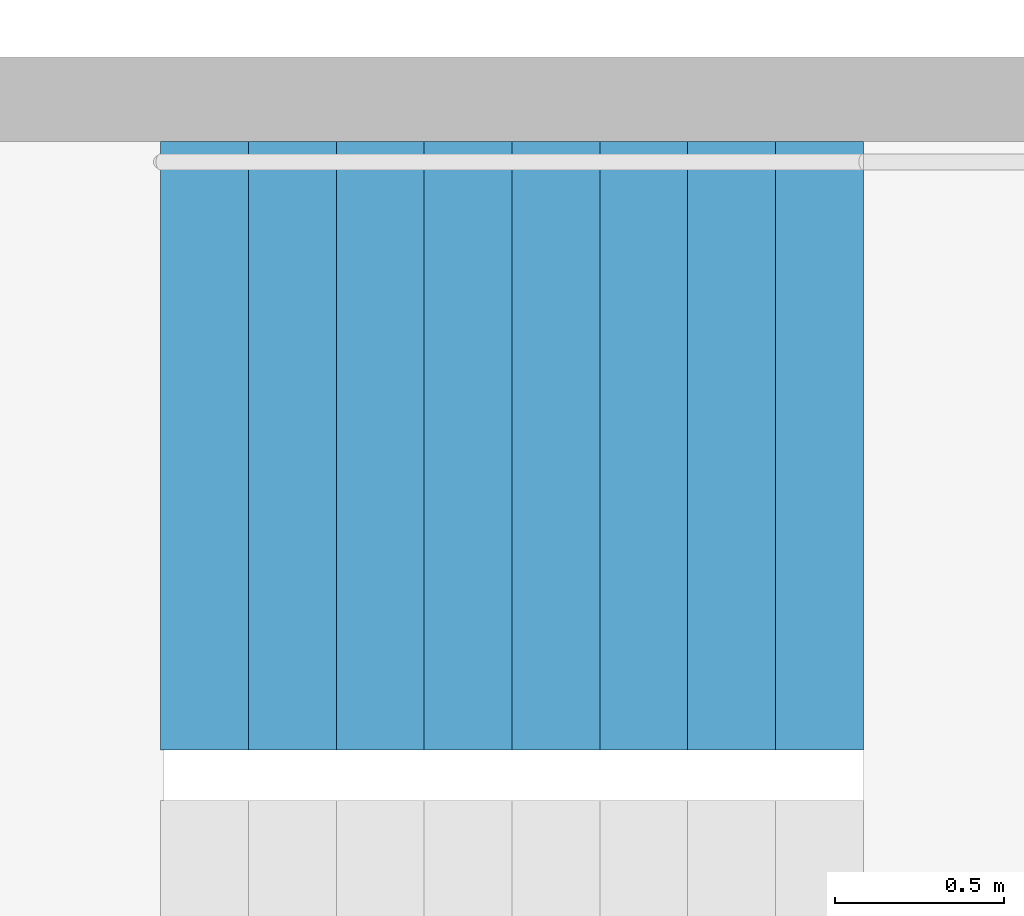
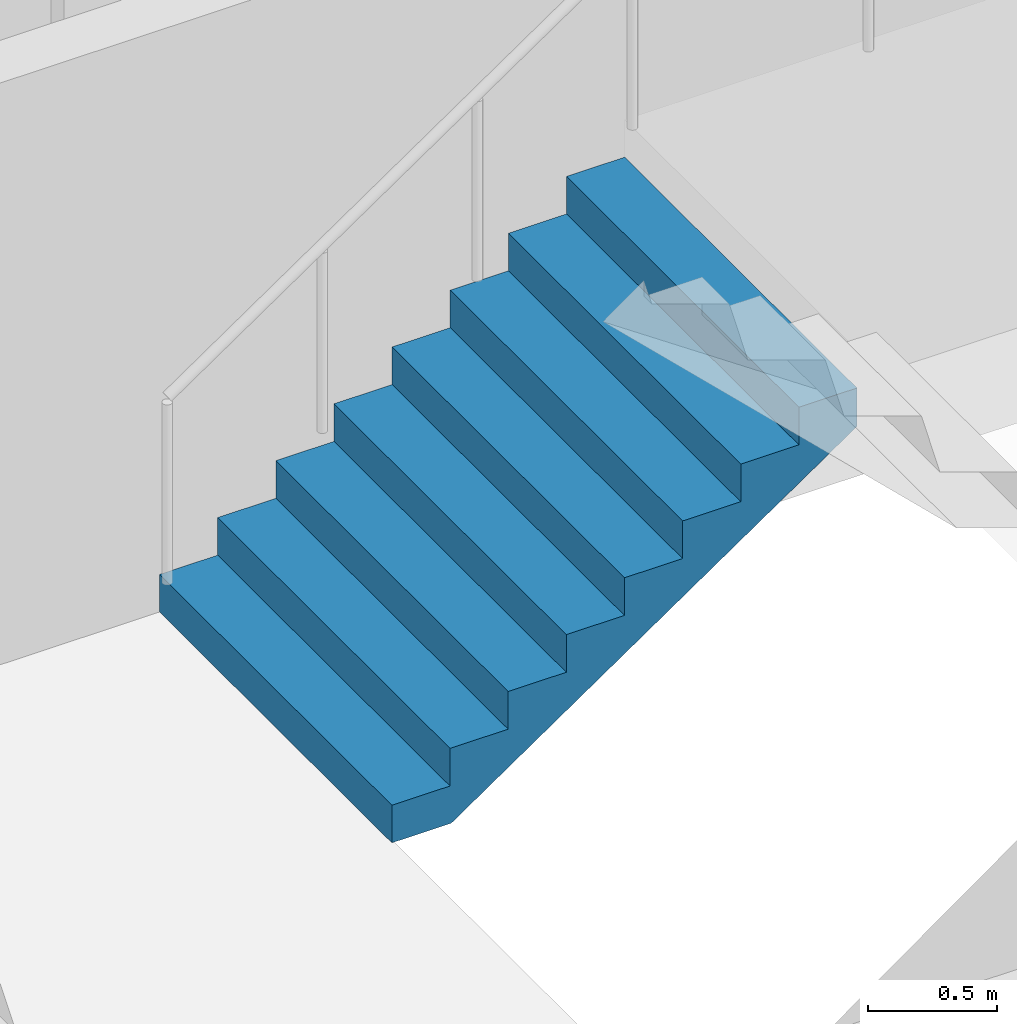
# One storey, part 23 of 26: 1 stair flight, 1 element without a shape of its own.
"""IFC4 building model written with IfcOpenShell, lengths in metres."""

from ifc_helpers import new_model, si_unit, direction, frame, origin, place, context, subcontext, project, spatial, triangles, material, type_object, element, aggregate, save


model = new_model("IFC4")

# Units and contexts
model_context = context("Model", 3, precision=1e-05, world=origin(), true_north=direction((0.0, 1.0)))
body_context = subcontext(model_context, "Body", "Model", "MODEL_VIEW")
ifc_project = project(units=[si_unit("LENGTHUNIT", "METRE"), si_unit("AREAUNIT", "SQUARE_METRE"), si_unit("VOLUMEUNIT", "CUBIC_METRE"), si_unit("PLANEANGLEUNIT", "RADIAN"), si_unit("MASSUNIT", "GRAM", prefix="KILO")], contexts=[model_context])

# Site, building, storey
site_placement = place(None, origin())
site = spatial("IfcSite", under=ifc_project, at=site_placement, CompositionType="ELEMENT")
building_placement = place(site_placement, origin())
building = spatial("IfcBuilding", under=site, at=building_placement, Name="Hakoniwa Tower and Hamabe Station Hall", CompositionType="ELEMENT")
storey_placement = place(building_placement, frame((0.0, 0.0, 212.199951171875)))
storey = spatial("IfcBuildingStorey", under=building, at=storey_placement, Name="L60", CompositionType="ELEMENT", Elevation=212.199951171875)

# Stair, stair flight
ifc_material_1 = material(Name="Concrete C40", Category="concrete")
stair_type = type_object("IfcStairType", Name="ESCAPE STAIR 1800", PredefinedType="HALF_TURN_STAIR", material=ifc_material_1)
stair_placement = place(storey_placement, origin())
stair = element("IfcStair", 1, at=stair_placement, inside=storey, type_object=stair_type, Name="Escape stair ST-4 L60", PredefinedType="HALF_TURN_STAIR")
ifc_material_2 = material(Name="Concrete C40", Category="concrete")
stair_flight_type = type_object("IfcStairFlightType", Name="STAIR FLIGHT 1800", PredefinedType="STRAIGHT", material=ifc_material_2)
stair_flight_placement = place(storey_placement, frame((23.39990234375, -4.64990234375, 0.0), z_axis=(0.0, 0.0, 1.0), x_axis=(1.0, 0.0, 0.0)))
stair_flight = element("IfcStairFlight", 2, at=stair_flight_placement, type_object=stair_flight_type, Name="ST-4 flight 1", NumberOfRisers=9, NumberOfTreads=8, PredefinedType="STRAIGHT", RiserHeight=0.177777778, TreadLength=0.26, context=body_context, shape_type="Tessellation", body=[
    triangles([(0.0, 0.89990234375, 0.0), (0.260009765625, 0.89990234375, 0.0), (0.265625, 0.89990234375, 0.0), (0.52001953125, 0.89990234375, 0.174072265625), (0.780029296875, 0.89990234375, 0.351806640625), (1.0400390625, 0.89990234375, 0.529541015625), (1.300048828125, 0.89990234375, 0.707275390625), (1.56005859375, 0.89990234375, 0.885009765625), (1.820068359375, 0.89990234375, 1.062744140625), (2.080078125, 0.89990234375, 1.24072265625), (2.080078125, 0.89990234375, 1.422119140625), (1.820068359375, 0.89990234375, 1.422119140625), (1.820068359375, 0.89990234375, 1.244384765625), (1.56005859375, 0.89990234375, 1.244384765625), (1.56005859375, 0.89990234375, 1.066650390625), (1.300048828125, 0.89990234375, 1.066650390625), (1.300048828125, 0.89990234375, 0.888916015625), (1.0400390625, 0.89990234375, 0.888916015625), (1.0400390625, 0.89990234375, 0.711181640625), (0.780029296875, 0.89990234375, 0.711181640625), (0.780029296875, 0.89990234375, 0.533447265625), (0.52001953125, 0.89990234375, 0.533447265625), (0.52001953125, 0.89990234375, 0.35546875), (0.265625, 0.89990234375, 0.35546875), (0.260009765625, 0.89990234375, 0.35546875), (0.260009765625, 0.89990234375, 0.177734375), (0.0, 0.89990234375, 0.177734375), (0.0, 0.06005859375, 0.0), (0.260009765625, 0.06005859375, 0.0), (0.265625, 0.06005859375, 0.0), (0.52001953125, 0.06005859375, 0.174072265625), (0.780029296875, 0.06005859375, 0.351806640625), (1.0400390625, 0.06005859375, 0.529541015625), (1.300048828125, 0.06005859375, 0.707275390625), (1.56005859375, 0.06005859375, 0.885009765625), (1.820068359375, 0.06005859375, 1.062744140625), (2.080078125, 0.06005859375, 1.24072265625), (2.080078125, 0.06005859375, 1.422119140625), (1.820068359375, 0.06005859375, 1.422119140625), (1.820068359375, 0.06005859375, 1.244384765625), (1.56005859375, 0.06005859375, 1.244384765625), (1.56005859375, 0.06005859375, 1.066650390625), (1.300048828125, 0.06005859375, 1.066650390625), (1.300048828125, 0.06005859375, 0.888916015625), (1.0400390625, 0.06005859375, 0.888916015625), (1.0400390625, 0.06005859375, 0.711181640625), (0.780029296875, 0.06005859375, 0.711181640625), (0.780029296875, 0.06005859375, 0.533447265625), (0.52001953125, 0.06005859375, 0.533447265625), (0.52001953125, 0.06005859375, 0.35546875), (0.265625, 0.06005859375, 0.35546875), (0.260009765625, 0.06005859375, 0.35546875), (0.260009765625, 0.06005859375, 0.177734375), (0.0, 0.06005859375, 0.177734375), (0.0, 0.04296875, 0.0), (0.260009765625, 0.04296875, 0.0), (0.265625, 0.04296875, 0.0), (0.52001953125, 0.04296875, 0.174072265625), (0.780029296875, 0.04296875, 0.351806640625), (1.0400390625, 0.04296875, 0.529541015625), (1.300048828125, 0.04296875, 0.707275390625), (1.56005859375, 0.04296875, 0.885009765625), (1.820068359375, 0.04296875, 1.062744140625), (2.080078125, 0.04296875, 1.24072265625), (2.080078125, 0.04296875, 1.422119140625), (1.820068359375, 0.04296875, 1.422119140625), (1.820068359375, 0.04296875, 1.244384765625), (1.56005859375, 0.04296875, 1.244384765625), (1.56005859375, 0.04296875, 1.066650390625), (1.300048828125, 0.04296875, 1.066650390625), (1.300048828125, 0.04296875, 0.888916015625), (1.0400390625, 0.04296875, 0.888916015625), (1.0400390625, 0.04296875, 0.711181640625), (0.780029296875, 0.04296875, 0.711181640625), (0.780029296875, 0.04296875, 0.533447265625), (0.52001953125, 0.04296875, 0.533447265625), (0.52001953125, 0.04296875, 0.35546875), (0.265625, 0.04296875, 0.35546875), (0.260009765625, 0.04296875, 0.35546875), (0.260009765625, 0.04296875, 0.177734375), (0.0, 0.04296875, 0.177734375), (0.0, 0.025634765625, 0.0), (0.260009765625, 0.025634765625, 0.0), (0.265625, 0.025634765625, 0.0), (0.52001953125, 0.025634765625, 0.174072265625), (0.780029296875, 0.025634765625, 0.351806640625), (1.0400390625, 0.025634765625, 0.529541015625), (1.300048828125, 0.025634765625, 0.707275390625), (1.56005859375, 0.025634765625, 0.885009765625), (1.820068359375, 0.025634765625, 1.062744140625), (2.080078125, 0.025634765625, 1.24072265625), (2.080078125, 0.025634765625, 1.422119140625), (1.820068359375, 0.025634765625, 1.422119140625), (1.820068359375, 0.025634765625, 1.244384765625), (1.56005859375, 0.025634765625, 1.244384765625), (1.56005859375, 0.025634765625, 1.066650390625), (1.300048828125, 0.025634765625, 1.066650390625), (1.300048828125, 0.025634765625, 0.888916015625), (1.0400390625, 0.025634765625, 0.888916015625), (1.0400390625, 0.025634765625, 0.711181640625), (0.780029296875, 0.025634765625, 0.711181640625), (0.780029296875, 0.025634765625, 0.533447265625), (0.52001953125, 0.025634765625, 0.533447265625), (0.52001953125, 0.025634765625, 0.35546875), (0.265625, 0.025634765625, 0.35546875), (0.260009765625, 0.025634765625, 0.35546875), (0.260009765625, 0.025634765625, 0.177734375), (0.0, 0.025634765625, 0.177734375), (0.0, 0.008544921875, 0.0), (0.260009765625, 0.008544921875, 0.0), (0.265625, 0.008544921875, 0.0), (0.52001953125, 0.008544921875, 0.174072265625), (0.780029296875, 0.008544921875, 0.351806640625), (1.0400390625, 0.008544921875, 0.529541015625), (1.300048828125, 0.008544921875, 0.707275390625), (1.56005859375, 0.008544921875, 0.885009765625), (1.820068359375, 0.008544921875, 1.062744140625), (2.080078125, 0.008544921875, 1.24072265625), (2.080078125, 0.008544921875, 1.422119140625), (1.820068359375, 0.008544921875, 1.422119140625), (1.820068359375, 0.008544921875, 1.244384765625), (1.56005859375, 0.008544921875, 1.244384765625), (1.56005859375, 0.008544921875, 1.066650390625), (1.300048828125, 0.008544921875, 1.066650390625), (1.300048828125, 0.008544921875, 0.888916015625), (1.0400390625, 0.008544921875, 0.888916015625), (1.0400390625, 0.008544921875, 0.711181640625), (0.780029296875, 0.008544921875, 0.711181640625), (0.780029296875, 0.008544921875, 0.533447265625), (0.52001953125, 0.008544921875, 0.533447265625), (0.52001953125, 0.008544921875, 0.35546875), (0.265625, 0.008544921875, 0.35546875), (0.260009765625, 0.008544921875, 0.35546875), (0.260009765625, 0.008544921875, 0.177734375), (0.0, 0.008544921875, 0.177734375), (0.0, -0.008544921875, 0.0), (0.260009765625, -0.008544921875, 0.0), (0.265625, -0.008544921875, 0.0), (0.52001953125, -0.008544921875, 0.174072265625), (0.780029296875, -0.008544921875, 0.351806640625), (1.0400390625, -0.008544921875, 0.529541015625), (1.300048828125, -0.008544921875, 0.707275390625), (1.56005859375, -0.008544921875, 0.885009765625), (1.820068359375, -0.008544921875, 1.062744140625), (2.080078125, -0.008544921875, 1.24072265625), (2.080078125, -0.008544921875, 1.422119140625), (1.820068359375, -0.008544921875, 1.422119140625), (1.820068359375, -0.008544921875, 1.244384765625), (1.56005859375, -0.008544921875, 1.244384765625), (1.56005859375, -0.008544921875, 1.066650390625), (1.300048828125, -0.008544921875, 1.066650390625), (1.300048828125, -0.008544921875, 0.888916015625), (1.0400390625, -0.008544921875, 0.888916015625), (1.0400390625, -0.008544921875, 0.711181640625), (0.780029296875, -0.008544921875, 0.711181640625), (0.780029296875, -0.008544921875, 0.533447265625), (0.52001953125, -0.008544921875, 0.533447265625), (0.52001953125, -0.008544921875, 0.35546875), (0.265625, -0.008544921875, 0.35546875), (0.260009765625, -0.008544921875, 0.35546875), (0.260009765625, -0.008544921875, 0.177734375), (0.0, -0.008544921875, 0.177734375), (0.0, -0.025634765625, 0.0), (0.260009765625, -0.025634765625, 0.0), (0.265625, -0.025634765625, 0.0), (0.52001953125, -0.025634765625, 0.174072265625), (0.780029296875, -0.025634765625, 0.351806640625), (1.0400390625, -0.025634765625, 0.529541015625), (1.300048828125, -0.025634765625, 0.707275390625), (1.56005859375, -0.025634765625, 0.885009765625), (1.820068359375, -0.025634765625, 1.062744140625), (2.080078125, -0.025634765625, 1.24072265625), (2.080078125, -0.025634765625, 1.422119140625), (1.820068359375, -0.025634765625, 1.422119140625), (1.820068359375, -0.025634765625, 1.244384765625), (1.56005859375, -0.025634765625, 1.244384765625), (1.56005859375, -0.025634765625, 1.066650390625), (1.300048828125, -0.025634765625, 1.066650390625), (1.300048828125, -0.025634765625, 0.888916015625), (1.0400390625, -0.025634765625, 0.888916015625), (1.0400390625, -0.025634765625, 0.711181640625), (0.780029296875, -0.025634765625, 0.711181640625), (0.780029296875, -0.025634765625, 0.533447265625), (0.52001953125, -0.025634765625, 0.533447265625), (0.52001953125, -0.025634765625, 0.35546875), (0.265625, -0.025634765625, 0.35546875), (0.260009765625, -0.025634765625, 0.35546875), (0.260009765625, -0.025634765625, 0.177734375), (0.0, -0.025634765625, 0.177734375), (0.0, -0.04296875, 0.0), (0.260009765625, -0.04296875, 0.0), (0.265625, -0.04296875, 0.0), (0.52001953125, -0.04296875, 0.174072265625), (0.780029296875, -0.04296875, 0.351806640625), (1.0400390625, -0.04296875, 0.529541015625), (1.300048828125, -0.04296875, 0.707275390625), (1.56005859375, -0.04296875, 0.885009765625), (1.820068359375, -0.04296875, 1.062744140625), (2.080078125, -0.04296875, 1.24072265625), (2.080078125, -0.04296875, 1.422119140625), (1.820068359375, -0.04296875, 1.422119140625), (1.820068359375, -0.04296875, 1.244384765625), (1.56005859375, -0.04296875, 1.244384765625), (1.56005859375, -0.04296875, 1.066650390625), (1.300048828125, -0.04296875, 1.066650390625), (1.300048828125, -0.04296875, 0.888916015625), (1.0400390625, -0.04296875, 0.888916015625), (1.0400390625, -0.04296875, 0.711181640625), (0.780029296875, -0.04296875, 0.711181640625), (0.780029296875, -0.04296875, 0.533447265625), (0.52001953125, -0.04296875, 0.533447265625), (0.52001953125, -0.04296875, 0.35546875), (0.265625, -0.04296875, 0.35546875), (0.260009765625, -0.04296875, 0.35546875), (0.260009765625, -0.04296875, 0.177734375), (0.0, -0.04296875, 0.177734375), (0.0, -0.06005859375, 0.0), (0.260009765625, -0.06005859375, 0.0), (0.265625, -0.06005859375, 0.0), (0.52001953125, -0.06005859375, 0.174072265625), (0.780029296875, -0.06005859375, 0.351806640625), (1.0400390625, -0.06005859375, 0.529541015625), (1.300048828125, -0.06005859375, 0.707275390625), (1.56005859375, -0.06005859375, 0.885009765625), (1.820068359375, -0.06005859375, 1.062744140625), (2.080078125, -0.06005859375, 1.24072265625), (2.080078125, -0.06005859375, 1.422119140625), (1.820068359375, -0.06005859375, 1.422119140625), (1.820068359375, -0.06005859375, 1.244384765625), (1.56005859375, -0.06005859375, 1.244384765625), (1.56005859375, -0.06005859375, 1.066650390625), (1.300048828125, -0.06005859375, 1.066650390625), (1.300048828125, -0.06005859375, 0.888916015625), (1.0400390625, -0.06005859375, 0.888916015625), (1.0400390625, -0.06005859375, 0.711181640625), (0.780029296875, -0.06005859375, 0.711181640625), (0.780029296875, -0.06005859375, 0.533447265625), (0.52001953125, -0.06005859375, 0.533447265625), (0.52001953125, -0.06005859375, 0.35546875), (0.265625, -0.06005859375, 0.35546875), (0.260009765625, -0.06005859375, 0.35546875), (0.260009765625, -0.06005859375, 0.177734375), (0.0, -0.06005859375, 0.177734375), (0.0, -0.89990234375, 0.0), (0.260009765625, -0.89990234375, 0.0), (0.265625, -0.89990234375, 0.0), (0.52001953125, -0.89990234375, 0.174072265625), (0.780029296875, -0.89990234375, 0.351806640625), (1.0400390625, -0.89990234375, 0.529541015625), (1.300048828125, -0.89990234375, 0.707275390625), (1.56005859375, -0.89990234375, 0.885009765625), (1.820068359375, -0.89990234375, 1.062744140625), (2.080078125, -0.89990234375, 1.24072265625), (2.080078125, -0.89990234375, 1.422119140625), (1.820068359375, -0.89990234375, 1.422119140625), (1.820068359375, -0.89990234375, 1.244384765625), (1.56005859375, -0.89990234375, 1.244384765625), (1.56005859375, -0.89990234375, 1.066650390625), (1.300048828125, -0.89990234375, 1.066650390625), (1.300048828125, -0.89990234375, 0.888916015625), (1.0400390625, -0.89990234375, 0.888916015625), (1.0400390625, -0.89990234375, 0.711181640625), (0.780029296875, -0.89990234375, 0.711181640625), (0.780029296875, -0.89990234375, 0.533447265625), (0.52001953125, -0.89990234375, 0.533447265625), (0.52001953125, -0.89990234375, 0.35546875), (0.265625, -0.89990234375, 0.35546875), (0.260009765625, -0.89990234375, 0.35546875), (0.260009765625, -0.89990234375, 0.177734375), (0.0, -0.89990234375, 0.177734375)], [[2, 27, 26], [245, 269, 270], [2, 1, 27], [245, 270, 244], [3, 25, 24], [246, 267, 268], [3, 26, 25], [246, 268, 269], [3, 2, 26], [246, 269, 245], [4, 24, 23], [247, 266, 267], [4, 3, 24], [247, 267, 246], [5, 22, 21], [248, 264, 265], [5, 23, 22], [248, 265, 266], [5, 4, 23], [248, 266, 247], [6, 20, 19], [249, 262, 263], [6, 21, 20], [249, 263, 264], [6, 5, 21], [249, 264, 248], [7, 18, 17], [250, 260, 261], [7, 19, 18], [250, 261, 262], [7, 6, 19], [250, 262, 249], [8, 16, 15], [251, 258, 259], [8, 17, 16], [251, 259, 260], [8, 7, 17], [251, 260, 250], [9, 14, 13], [252, 256, 257], [9, 15, 14], [252, 257, 258], [9, 8, 15], [252, 258, 251], [10, 12, 11], [253, 254, 255], [10, 13, 12], [253, 255, 256], [10, 9, 13], [253, 256, 252], [1, 2, 29], [1, 29, 28], [28, 29, 56], [28, 56, 55], [55, 56, 83], [55, 83, 82], [82, 83, 110], [82, 110, 109], [109, 110, 137], [109, 137, 136], [136, 137, 164], [136, 164, 163], [163, 164, 191], [163, 191, 190], [190, 191, 218], [190, 218, 217], [217, 218, 245], [217, 245, 244], [2, 3, 30], [2, 30, 29], [29, 30, 57], [29, 57, 56], [56, 57, 84], [56, 84, 83], [83, 84, 111], [83, 111, 110], [110, 111, 138], [110, 138, 137], [137, 138, 165], [137, 165, 164], [164, 165, 192], [164, 192, 191], [191, 192, 219], [191, 219, 218], [218, 219, 246], [218, 246, 245], [3, 4, 31], [3, 31, 30], [30, 31, 58], [30, 58, 57], [57, 58, 85], [57, 85, 84], [84, 85, 112], [84, 112, 111], [111, 112, 139], [111, 139, 138], [138, 139, 166], [138, 166, 165], [165, 166, 193], [165, 193, 192], [192, 193, 220], [192, 220, 219], [219, 220, 247], [219, 247, 246], [4, 5, 32], [4, 32, 31], [31, 32, 59], [31, 59, 58], [58, 59, 86], [58, 86, 85], [85, 86, 113], [85, 113, 112], [112, 113, 140], [112, 140, 139], [139, 140, 167], [139, 167, 166], [166, 167, 194], [166, 194, 193], [193, 194, 221], [193, 221, 220], [220, 221, 248], [220, 248, 247], [5, 6, 33], [5, 33, 32], [32, 33, 60], [32, 60, 59], [59, 60, 87], [59, 87, 86], [86, 87, 114], [86, 114, 113], [113, 114, 141], [113, 141, 140], [140, 141, 168], [140, 168, 167], [167, 168, 195], [167, 195, 194], [194, 195, 222], [194, 222, 221], [221, 222, 249], [221, 249, 248], [6, 7, 34], [6, 34, 33], [33, 34, 61], [33, 61, 60], [60, 61, 88], [60, 88, 87], [87, 88, 115], [87, 115, 114], [114, 115, 142], [114, 142, 141], [141, 142, 169], [141, 169, 168], [168, 169, 196], [168, 196, 195], [195, 196, 223], [195, 223, 222], [222, 223, 250], [222, 250, 249], [7, 8, 35], [7, 35, 34], [34, 35, 62], [34, 62, 61], [61, 62, 89], [61, 89, 88], [88, 89, 116], [88, 116, 115], [115, 116, 143], [115, 143, 142], [142, 143, 170], [142, 170, 169], [169, 170, 197], [169, 197, 196], [196, 197, 224], [196, 224, 223], [223, 224, 251], [223, 251, 250], [8, 9, 36], [8, 36, 35], [35, 36, 63], [35, 63, 62], [62, 63, 90], [62, 90, 89], [89, 90, 117], [89, 117, 116], [116, 117, 144], [116, 144, 143], [143, 144, 171], [143, 171, 170], [170, 171, 198], [170, 198, 197], [197, 198, 225], [197, 225, 224], [224, 225, 252], [224, 252, 251], [9, 10, 37], [9, 37, 36], [36, 37, 64], [36, 64, 63], [63, 64, 91], [63, 91, 90], [90, 91, 118], [90, 118, 117], [117, 118, 145], [117, 145, 144], [144, 145, 172], [144, 172, 171], [171, 172, 199], [171, 199, 198], [198, 199, 226], [198, 226, 225], [225, 226, 253], [225, 253, 252], [10, 11, 38], [10, 38, 37], [37, 38, 65], [37, 65, 64], [64, 65, 92], [64, 92, 91], [91, 92, 119], [91, 119, 118], [118, 119, 146], [118, 146, 145], [145, 146, 173], [145, 173, 172], [172, 173, 200], [172, 200, 199], [199, 200, 227], [199, 227, 226], [226, 227, 254], [226, 254, 253], [11, 12, 39], [11, 39, 38], [38, 39, 66], [38, 66, 65], [65, 66, 93], [65, 93, 92], [92, 93, 120], [92, 120, 119], [119, 120, 147], [119, 147, 146], [146, 147, 174], [146, 174, 173], [173, 174, 201], [173, 201, 200], [200, 201, 228], [200, 228, 227], [227, 228, 255], [227, 255, 254], [12, 13, 40], [12, 40, 39], [39, 40, 67], [39, 67, 66], [66, 67, 94], [66, 94, 93], [93, 94, 121], [93, 121, 120], [120, 121, 148], [120, 148, 147], [147, 148, 175], [147, 175, 174], [174, 175, 202], [174, 202, 201], [201, 202, 229], [201, 229, 228], [228, 229, 256], [228, 256, 255], [13, 14, 41], [13, 41, 40], [40, 41, 68], [40, 68, 67], [67, 68, 95], [67, 95, 94], [94, 95, 122], [94, 122, 121], [121, 122, 149], [121, 149, 148], [148, 149, 176], [148, 176, 175], [175, 176, 203], [175, 203, 202], [202, 203, 230], [202, 230, 229], [229, 230, 257], [229, 257, 256], [14, 15, 42], [14, 42, 41], [41, 42, 69], [41, 69, 68], [68, 69, 96], [68, 96, 95], [95, 96, 123], [95, 123, 122], [122, 123, 150], [122, 150, 149], [149, 150, 177], [149, 177, 176], [176, 177, 204], [176, 204, 203], [203, 204, 231], [203, 231, 230], [230, 231, 258], [230, 258, 257], [15, 16, 43], [15, 43, 42], [42, 43, 70], [42, 70, 69], [69, 70, 97], [69, 97, 96], [96, 97, 124], [96, 124, 123], [123, 124, 151], [123, 151, 150], [150, 151, 178], [150, 178, 177], [177, 178, 205], [177, 205, 204], [204, 205, 232], [204, 232, 231], [231, 232, 259], [231, 259, 258], [16, 17, 44], [16, 44, 43], [43, 44, 71], [43, 71, 70], [70, 71, 98], [70, 98, 97], [97, 98, 125], [97, 125, 124], [124, 125, 152], [124, 152, 151], [151, 152, 179], [151, 179, 178], [178, 179, 206], [178, 206, 205], [205, 206, 233], [205, 233, 232], [232, 233, 260], [232, 260, 259], [17, 18, 45], [17, 45, 44], [44, 45, 72], [44, 72, 71], [71, 72, 99], [71, 99, 98], [98, 99, 126], [98, 126, 125], [125, 126, 153], [125, 153, 152], [152, 153, 180], [152, 180, 179], [179, 180, 207], [179, 207, 206], [206, 207, 234], [206, 234, 233], [233, 234, 261], [233, 261, 260], [18, 19, 46], [18, 46, 45], [45, 46, 73], [45, 73, 72], [72, 73, 100], [72, 100, 99], [99, 100, 127], [99, 127, 126], [126, 127, 154], [126, 154, 153], [153, 154, 181], [153, 181, 180], [180, 181, 208], [180, 208, 207], [207, 208, 235], [207, 235, 234], [234, 235, 262], [234, 262, 261], [19, 20, 47], [19, 47, 46], [46, 47, 74], [46, 74, 73], [73, 74, 101], [73, 101, 100], [100, 101, 128], [100, 128, 127], [127, 128, 155], [127, 155, 154], [154, 155, 182], [154, 182, 181], [181, 182, 209], [181, 209, 208], [208, 209, 236], [208, 236, 235], [235, 236, 263], [235, 263, 262], [20, 21, 48], [20, 48, 47], [47, 48, 75], [47, 75, 74], [74, 75, 102], [74, 102, 101], [101, 102, 129], [101, 129, 128], [128, 129, 156], [128, 156, 155], [155, 156, 183], [155, 183, 182], [182, 183, 210], [182, 210, 209], [209, 210, 237], [209, 237, 236], [236, 237, 264], [236, 264, 263], [21, 22, 49], [21, 49, 48], [48, 49, 76], [48, 76, 75], [75, 76, 103], [75, 103, 102], [102, 103, 130], [102, 130, 129], [129, 130, 157], [129, 157, 156], [156, 157, 184], [156, 184, 183], [183, 184, 211], [183, 211, 210], [210, 211, 238], [210, 238, 237], [237, 238, 265], [237, 265, 264], [22, 23, 50], [22, 50, 49], [49, 50, 77], [49, 77, 76], [76, 77, 104], [76, 104, 103], [103, 104, 131], [103, 131, 130], [130, 131, 158], [130, 158, 157], [157, 158, 185], [157, 185, 184], [184, 185, 212], [184, 212, 211], [211, 212, 239], [211, 239, 238], [238, 239, 266], [238, 266, 265], [23, 24, 51], [23, 51, 50], [50, 51, 78], [50, 78, 77], [77, 78, 105], [77, 105, 104], [104, 105, 132], [104, 132, 131], [131, 132, 159], [131, 159, 158], [158, 159, 186], [158, 186, 185], [185, 186, 213], [185, 213, 212], [212, 213, 240], [212, 240, 239], [239, 240, 267], [239, 267, 266], [24, 25, 52], [24, 52, 51], [51, 52, 79], [51, 79, 78], [78, 79, 106], [78, 106, 105], [105, 106, 133], [105, 133, 132], [132, 133, 160], [132, 160, 159], [159, 160, 187], [159, 187, 186], [186, 187, 214], [186, 214, 213], [213, 214, 241], [213, 241, 240], [240, 241, 268], [240, 268, 267], [25, 26, 53], [25, 53, 52], [52, 53, 80], [52, 80, 79], [79, 80, 107], [79, 107, 106], [106, 107, 134], [106, 134, 133], [133, 134, 161], [133, 161, 160], [160, 161, 188], [160, 188, 187], [187, 188, 215], [187, 215, 214], [214, 215, 242], [214, 242, 241], [241, 242, 269], [241, 269, 268], [26, 27, 54], [26, 54, 53], [53, 54, 81], [53, 81, 80], [80, 81, 108], [80, 108, 107], [107, 108, 135], [107, 135, 134], [134, 135, 162], [134, 162, 161], [161, 162, 189], [161, 189, 188], [188, 189, 216], [188, 216, 215], [215, 216, 243], [215, 243, 242], [242, 243, 270], [242, 270, 269], [27, 1, 28], [27, 28, 54], [54, 28, 55], [54, 55, 81], [81, 55, 82], [81, 82, 108], [108, 82, 109], [108, 109, 135], [135, 109, 136], [135, 136, 162], [162, 136, 163], [162, 163, 189], [189, 163, 190], [189, 190, 216], [216, 190, 217], [216, 217, 243], [243, 217, 244], [243, 244, 270]], closed=True),
])
aggregate(stair, [stair_flight])

save(model, "model.ifc")
